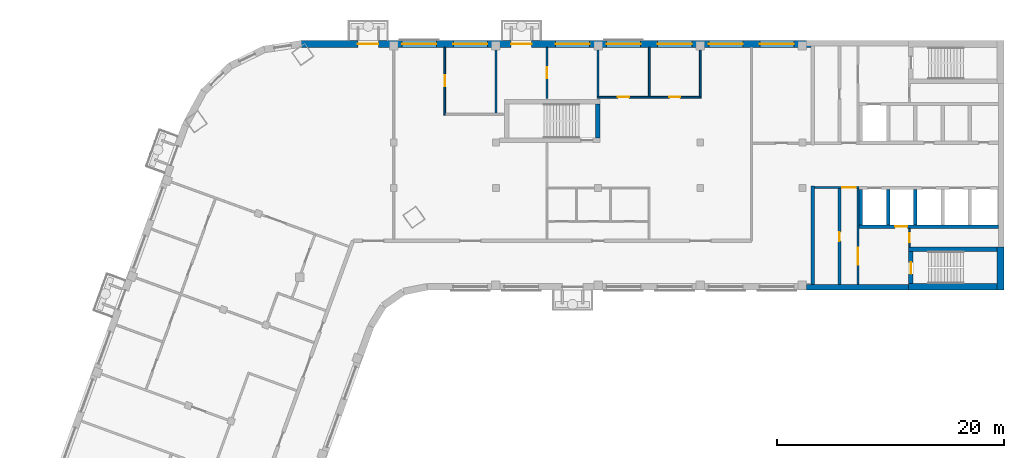
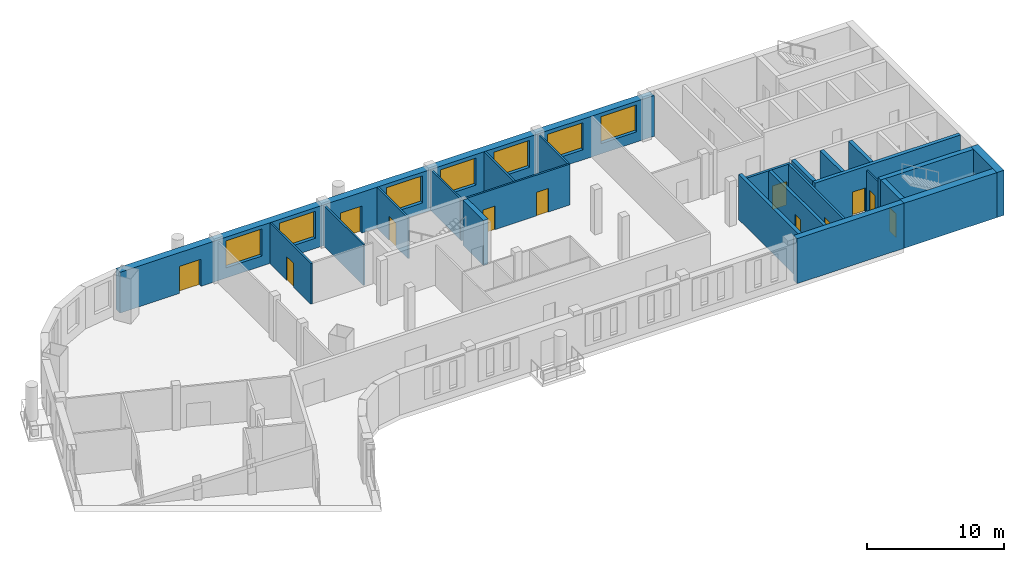
# One storey, part 5 of 10: 23 walls, 12 doors, 7 windows, 19 openings.
"""IFC4 building model written with IfcOpenShell, lengths in metres."""

import ifcopenshell
import ifcopenshell.guid

model = None  # the IFC model being written
_history = None  # IfcOwnerHistory: only IFC2X3 demands one
_inside = {}  # id of a spatial element -> (the spatial element, [elements in it])
_under = {}  # id of a project, library or spatial element -> (it, [spatial elements below it])
_declared = {}  # id of a project -> (the project, [libraries it declares])
_typed = {}  # id of a type object -> (the type object, [elements of that type])
_made_of = {}  # id of a material, layer set ... -> (it, [elements and type objects made of it])


def new_model(schema):
    """Start an empty IFC model of exactly this schema.

    Asked for "IFC4X3", IfcOpenShell would pick the latest addendum, in which some entities
    have other attributes; the version numbers below select the first issue.
    IFC2X3 requires an IfcOwnerHistory on every rooted entity: one is made here for all.
    """
    global model, _history
    if schema == "IFC4X3":
        model = ifcopenshell.file(schema_version=(4, 3, 0, 0))
    else:
        model = ifcopenshell.file(schema=schema)
    _inside.clear()
    _under.clear()
    _declared.clear()
    _typed.clear()
    _made_of.clear()
    _history = None
    if model.schema == "IFC2X3":
        org = make("IfcOrganization", Name="unknown")
        user = make(
            "IfcPersonAndOrganization",
            ThePerson=make("IfcPerson", FamilyName="unknown"),
            TheOrganization=org,
        )
        app = make(
            "IfcApplication",
            ApplicationDeveloper=org,
            Version="unknown",
            ApplicationFullName="unknown",
            ApplicationIdentifier="unknown",
        )
        _history = make(
            "IfcOwnerHistory",
            OwningUser=user,
            OwningApplication=app,
            ChangeAction="ADDED",
            CreationDate=0,
        )
    return model


def make(cls, **values):
    """One entity of the class cls with the attributes given. An attribute that is None is left unset."""
    return model.create_entity(
        cls, **{name: value for name, value in values.items() if value is not None}
    )


def rooted(cls, **values):
    """An entity with a GlobalId (a new one), such as an element, a storey or a relation."""
    return make(cls, GlobalId=ifcopenshell.guid.new(), OwnerHistory=_history, **values)


def si_unit(unit_type, name, prefix=None):
    """IfcSIUnit, for example si_unit("LENGTHUNIT", "METRE", prefix="MILLI")."""
    return make("IfcSIUnit", UnitType=unit_type, Prefix=prefix, Name=name)


def assignment(units):
    """IfcUnitAssignment: the units of a project."""
    return None if units is None else make("IfcUnitAssignment", Units=units)


def point(xyz):
    """IfcCartesianPoint."""
    return None if xyz is None else make("IfcCartesianPoint", Coordinates=xyz)


def direction(xyz):
    """IfcDirection."""
    return None if xyz is None else make("IfcDirection", DirectionRatios=xyz)


def frame(location, z_axis=None, x_axis=None):
    """IfcAxis2Placement3D, a coordinate frame: its origin and axes. An axis left out is left unset."""
    return make(
        "IfcAxis2Placement3D",
        Location=point(location),
        Axis=direction(z_axis),
        RefDirection=direction(x_axis),
    )


def frame_2d(location, x_axis=None):
    """IfcAxis2Placement2D, a coordinate frame in the plane: its origin and x axis."""
    return make(
        "IfcAxis2Placement2D", Location=point(location), RefDirection=direction(x_axis)
    )


def origin():
    """The frame at (0, 0, 0) with its axes left unset."""
    return frame((0.0, 0.0, 0.0))


def place(relative_to, where):
    """IfcLocalPlacement: puts the frame where relative to a parent placement (None: the world)."""
    return make(
        "IfcLocalPlacement", PlacementRelTo=relative_to, RelativePlacement=where
    )


def context(
    kind, dimensions, precision=None, world=None, true_north=None, identifier=None
):
    """IfcGeometricRepresentationContext, for example the 3D "Model" context."""
    return make(
        "IfcGeometricRepresentationContext",
        ContextIdentifier=identifier,
        ContextType=kind,
        CoordinateSpaceDimension=dimensions,
        Precision=precision,
        WorldCoordinateSystem=world,
        TrueNorth=true_north,
    )


def subcontext(parent, identifier, kind, view, scale=None):
    """IfcGeometricRepresentationSubContext, for example "Body" below "Model"."""
    return make(
        "IfcGeometricRepresentationSubContext",
        ContextIdentifier=identifier,
        ContextType=kind,
        ParentContext=parent,
        TargetScale=scale,
        TargetView=view,
    )


def project(units=None, contexts=None):
    """IfcProject with its units and contexts."""
    return rooted(
        "IfcProject",
        Name="project",
        RepresentationContexts=contexts,
        UnitsInContext=assignment(units),
    )


def spatial(cls, under=None, at=None, **own):
    """A site, building, storey or space (cls), placed at a placement, below another one or the project."""
    s = rooted(cls, ObjectPlacement=at, **own)
    if under is not None:
        _under.setdefault(under.id(), (under, []))[1].append(s)
    return s


def profile(cls, at=None, kind="AREA", **sizes):
    """A parametric profile (cls). Its sizes go by their IFC names, for example OverallWidth=200.0."""
    return make(cls, ProfileType=kind, Position=at, **sizes)


def rectangle(**sizes):
    """IfcRectangleProfileDef."""
    return profile("IfcRectangleProfileDef", **sizes)


def extrude(swept, where, along, depth):
    """IfcExtrudedAreaSolid: the profile swept, set in the frame where, extruded along a direction by depth."""
    return make(
        "IfcExtrudedAreaSolid",
        SweptArea=swept,
        Position=where,
        ExtrudedDirection=direction(along),
        Depth=depth,
    )


def shape(context_of_items, identifier, shape_type, items):
    """IfcShapeRepresentation: the items that make up one representation, for example the "Body"."""
    return make(
        "IfcShapeRepresentation",
        ContextOfItems=context_of_items,
        RepresentationIdentifier=identifier,
        RepresentationType=shape_type,
        Items=items,
    )


def material(Name=None, Category=None):
    """IfcMaterial."""
    return make("IfcMaterial", Name=Name, Category=Category)


def layer(
    of_material, thickness, ventilated=None, Name=None, Category=None, Priority=None
):
    """IfcMaterialLayer: one layer of a wall or slab, of a material (None: an air gap)."""
    return make(
        "IfcMaterialLayer",
        Material=of_material,
        LayerThickness=thickness,
        IsVentilated=ventilated,
        Name=Name,
        Category=Category,
        Priority=Priority,
    )


def layer_set(layers, Name=None):
    """IfcMaterialLayerSet."""
    return make("IfcMaterialLayerSet", MaterialLayers=layers, LayerSetName=Name)


def made_of(thing, what):
    """Note that an element or type object is made of a material, layer set ...; save() writes the relation."""
    if what is not None:
        _made_of.setdefault(what.id(), (what, []))[1].append(thing)
    return thing


def type_object(cls, material=None, **own):
    """A type object (cls), such as IfcWallType, which elements share."""
    return made_of(rooted(cls, **own), material)


def element(
    cls,
    number,
    at=None,
    inside=None,
    cuts=None,
    type_object=None,
    material=None,
    context=None,
    identifier="Body",
    shape_type=None,
    held_by="IfcProductDefinitionShape",
    body=None,
    shapes=None,
    **own,
):
    """One element of the class cls, such as IfcWall. Its Tag is "e" and its number.

    at: its placement. inside: the storey or other place that contains it. cuts: it is an
    opening in that element (IfcRelVoidsElement). A single representation is given by context,
    identifier, shape_type and body (its items); several are given by shapes. held_by: the class
    of the entity that holds the representations. save() writes the other relations.
    """
    e = rooted(cls, Tag="e%d" % number, ObjectPlacement=at, **own)
    if body is not None:
        shapes = [shape(context, identifier, shape_type, body)]
    if shapes is not None:
        e.Representation = make(held_by, Representations=shapes)
    if inside is not None:
        _inside.setdefault(inside.id(), (inside, []))[1].append(e)
    if cuts is not None:
        rooted(
            "IfcRelVoidsElement", RelatingBuildingElement=cuts, RelatedOpeningElement=e
        )
    if type_object is not None:
        _typed.setdefault(type_object.id(), (type_object, []))[1].append(e)
    return made_of(e, material)


def fill(opening, filler):
    """IfcRelFillsElement: the door or window that sits in an opening."""
    return rooted(
        "IfcRelFillsElement",
        RelatingOpeningElement=opening,
        RelatedBuildingElement=filler,
    )


def aggregate(whole, parts):
    """IfcRelAggregates: a whole, such as a stair, and the parts it consists of."""
    return rooted("IfcRelAggregates", RelatingObject=whole, RelatedObjects=parts)


def save(model, path):
    """Write the relations noted so far, then the file.

    IfcRelAggregates (storeys below a building ...), IfcRelContainedInSpatialStructure (elements
    in a storey), IfcRelDefinesByType, IfcRelAssociatesMaterial and IfcRelDeclares: one each for
    every whole, place, type object, material and project.
    """
    for whole, parts in _under.values():
        aggregate(whole, parts)
    for where, things in _inside.values():
        rooted(
            "IfcRelContainedInSpatialStructure",
            RelatedElements=things,
            RelatingStructure=where,
        )
    for kind, things in _typed.values():
        rooted("IfcRelDefinesByType", RelatedObjects=things, RelatingType=kind)
    for what, things in _made_of.values():
        rooted("IfcRelAssociatesMaterial", RelatedObjects=things, RelatingMaterial=what)
    for by, libraries in _declared.values():
        rooted("IfcRelDeclares", RelatingContext=by, RelatedDefinitions=libraries)
    model.write(path)


model = new_model("IFC4")

# Units and contexts
model_context = context("Model", 3, precision=1e-05, world=origin(), true_north=direction((0.0, 1.0)))
body_context = subcontext(model_context, "Body", "Model", "MODEL_VIEW")
ifc_project = project(units=[si_unit("LENGTHUNIT", "METRE"), si_unit("AREAUNIT", "SQUARE_METRE"), si_unit("VOLUMEUNIT", "CUBIC_METRE"), si_unit("PLANEANGLEUNIT", "RADIAN"), si_unit("MASSUNIT", "GRAM", prefix="KILO")], contexts=[model_context])

# Site, building, storey
site_placement = place(None, origin())
site = spatial("IfcSite", under=ifc_project, at=site_placement, CompositionType="ELEMENT")
building_placement = place(site_placement, origin())
building = spatial("IfcBuilding", under=site, at=building_placement, Name="Skarvind Civic Tower", CompositionType="ELEMENT")
storey_placement = place(building_placement, frame((0.0, 0.0, 204.0)))
storey = spatial("IfcBuildingStorey", under=building, at=storey_placement, Name="L48", CompositionType="ELEMENT", Elevation=204.0)

# Wall, opening, door
ifc_material_1 = material(Name="Fire-rated masonry partition", Category="masonry")
ifc_layer_1 = layer(ifc_material_1, 0.199951171875)
ifc_layer_set_1 = layer_set([ifc_layer_1], Name="Core enclosure wall 200")
wall_type_1 = type_object("IfcWallType", Name="Core enclosure wall 200", PredefinedType="PARTITIONING", material=ifc_layer_set_1)
wall_1_placement = place(storey_placement, frame((95.25, 126.050048828125, 0.0), z_axis=(0.0, 0.0, 1.0), x_axis=(-1.0, 0.0, 0.0)))
wall_1 = element("IfcWall", 1, at=wall_1_placement, inside=storey, type_object=wall_type_1, Name="Core wall C1", PredefinedType="PARTITIONING", context=body_context, shape_type="SweptSolid", body=[
    extrude(rectangle(XDim=3.949951171875, YDim=0.199951171875, at=frame_2d((1.97509765625, 0.0))), origin(), (0.0, 0.0, 1.0), 3.625),
])
opening_1_placement = place(wall_1_placement, frame((0.300048828125, 0.0, 0.0)))
opening_1 = element("IfcOpeningElement", 2, at=opening_1_placement, cuts=wall_1, Name="Opening D-L48-C1-07", PredefinedType="OPENING", context=body_context, shape_type="SweptSolid", body=[
    extrude(rectangle(XDim=1.199951171875, YDim=2.10009765625, at=frame_2d((0.60009765625, 1.050048828125))), frame((0.0, 0.10986328125, 0.0), z_axis=(0.0, -1.0, 0.0), x_axis=(1.0, 0.0, 0.0)), (0.0, 0.0, 1.0), 0.219970703125),
])
ifc_material_2 = material(Name="Fire-rated steel door", Category="steel")
door_type_1 = type_object("IfcDoorType", Name="Core lobby door 1200", OperationType="NOTDEFINED", PredefinedType="DOOR", material=ifc_material_2)
door_1_placement = place(opening_1_placement, origin())
door_1 = element("IfcDoor", 3, at=door_1_placement, inside=storey, type_object=door_type_1, Name="Fire door", OperationType="DOUBLE_DOOR_SINGLE_SWING", OverallHeight=2.10009765625, OverallWidth=1.199951171875, PredefinedType="DOOR", context=body_context, shape_type="SweptSolid", body=[
    extrude(rectangle(XDim=1.199951171875, YDim=2.10009765625, at=frame_2d((0.60009765625, 1.050048828125))), frame((0.0, 0.02490234375, 0.0), z_axis=(0.0, -1.0, 0.0), x_axis=(1.0, 0.0, 0.0)), (0.0, 0.0, 1.0), 0.050048828125),
])
fill(opening_1, door_1)

wall_2_placement = place(storey_placement, frame((95.14990234375, 117.5, 0.0), z_axis=(0.0, 0.0, 1.0), x_axis=(0.0, 1.0, 0.0)))
wall_2 = element("IfcWall", 4, at=wall_2_placement, inside=storey, type_object=wall_type_1, Name="Core wall C1", PredefinedType="PARTITIONING", context=body_context, shape_type="SweptSolid", body=[
    extrude(rectangle(XDim=8.449951171875, YDim=0.199951171875, at=frame_2d((4.22509765625, 0.0))), origin(), (0.0, 0.0, 1.0), 3.625),
])
opening_2_placement = place(wall_2_placement, frame((1.72509765625, 0.0, 0.0)))
opening_2 = element("IfcOpeningElement", 5, at=opening_2_placement, cuts=wall_2, Name="Opening D-L48-C1-08", PredefinedType="OPENING", context=body_context, shape_type="SweptSolid", body=[
    extrude(rectangle(XDim=1.5, YDim=2.10009765625, at=frame_2d((0.75, 1.050048828125))), frame((0.0, 0.10986328125, 0.0), z_axis=(0.0, -1.0, 0.0), x_axis=(1.0, 0.0, 0.0)), (0.0, 0.0, 1.0), 0.219970703125),
])
door_type_2 = type_object("IfcDoorType", Name="Fire door 1500", OperationType="NOTDEFINED", PredefinedType="DOOR", material=ifc_material_2)
door_2_placement = place(opening_2_placement, origin())
door_2 = element("IfcDoor", 6, at=door_2_placement, inside=storey, type_object=door_type_2, Name="Fire door", OperationType="DOUBLE_DOOR_SINGLE_SWING", OverallHeight=2.10009765625, OverallWidth=1.5, PredefinedType="DOOR", context=body_context, shape_type="SweptSolid", body=[
    extrude(rectangle(XDim=1.5, YDim=2.10009765625, at=frame_2d((0.75, 1.050048828125))), frame((0.0, 0.02490234375, 0.0), z_axis=(0.0, -1.0, 0.0), x_axis=(1.0, 0.0, 0.0)), (0.0, 0.0, 1.0), 0.050048828125),
])
fill(opening_2, door_2)

ifc_material_3 = material(Name="Concrete C60", Category="concrete")
ifc_layer_2 = layer(ifc_material_3, 0.300048828125)
ifc_layer_set_2 = layer_set([ifc_layer_2], Name="Core wall 300 C60")
wall_type_2 = type_object("IfcWallType", Name="Core wall 300 C60", PredefinedType="SHEAR", material=ifc_layer_set_2)
wall_3_placement = place(storey_placement, frame((107.5, 122.60009765625, 0.0), z_axis=(0.0, 0.0, 1.0), x_axis=(-1.0, 0.0, 0.0)))
wall_3 = element("IfcWall", 7, at=wall_3_placement, inside=storey, type_object=wall_type_2, Name="Core wall C1 north lift row back L48", PredefinedType="SHEAR", context=body_context, shape_type="SweptSolid", body=[
    extrude(rectangle(XDim=12.25, YDim=0.300048828125, at=frame_2d((6.125, 0.0))), origin(), (0.0, 0.0, 1.0), 4.0),
])
opening_3_placement = place(wall_3_placement, frame((8.0, 0.0, 0.0)))
opening_3 = element("IfcOpeningElement", 8, at=opening_3_placement, cuts=wall_3, Name="Opening LD50104", PredefinedType="OPENING", context=body_context, shape_type="SweptSolid", body=[
    extrude(rectangle(XDim=1.10009765625, YDim=2.10009765625, at=frame_2d((0.550048828125, 1.050048828125))), frame((0.0, 0.159912109375, 0.0), z_axis=(0.0, -1.0, 0.0), x_axis=(1.0, 0.0, 0.0)), (0.0, 0.0, 1.0), 0.320068359375),
])
ifc_material_4 = material(Name="Stainless steel landing door", Category="steel")
door_type_3 = type_object("IfcDoorType", Name="Lift landing door 1100", OperationType="DOUBLE_DOOR_SLIDING", PredefinedType="DOOR", material=ifc_material_4)
door_3_placement = place(opening_3_placement, origin())
door_3 = element("IfcDoor", 9, at=door_3_placement, inside=storey, type_object=door_type_3, Name="Lift landing door", OperationType="DOUBLE_DOOR_SLIDING", OverallHeight=2.10009765625, OverallWidth=1.10009765625, PredefinedType="DOOR", context=body_context, shape_type="SweptSolid", body=[
    extrude(rectangle(XDim=1.10009765625, YDim=2.10009765625, at=frame_2d((0.550048828125, 1.050048828125))), frame((0.0, 0.02490234375, 0.0), z_axis=(0.0, -1.0, 0.0), x_axis=(1.0, 0.0, 0.0)), (0.0, 0.0, 1.0), 0.050048828125),
])
fill(opening_3, door_3)

# Walls
for number, where, z_axis, x_axis, name in (
    (10, (100.199951171875, 125.85009765625, 0.0), (0.0, 0.0, 1.0), (0.0, -1.0, 0.0), "Core wall C1 north lift row division 3 L48"),
    (11, (97.800048828125, 125.85009765625, 0.0), (0.0, 0.0, 1.0), (0.0, -1.0, 0.0), "Core wall C1 north lift row division 4 L48"),
    (12, (95.39990234375, 125.85009765625, 0.0), (0.0, 0.0, 1.0), (0.0, -1.0, 0.0), "Core wall C1 north lift row division 5 L48"),
):
    element("IfcWall", number, at=place(storey_placement, frame(where, z_axis=z_axis, x_axis=x_axis)), inside=storey, type_object=wall_type_2, Name=name, PredefinedType="SHEAR", context=body_context, shape_type="SweptSolid", body=[
        extrude(rectangle(XDim=3.10009765625, YDim=0.300048828125, at=frame_2d((1.550048828125, 0.0))), origin(), (0.0, 0.0, 1.0), 4.0),
    ])
wall_4_placement = place(storey_placement, frame((91.14990234375, 126.199951171875, 0.0), z_axis=(0.0, 0.0, 1.0), x_axis=(0.0, -1.0, 0.0)))
element("IfcWall", 13, at=wall_4_placement, inside=storey, type_object=wall_type_2, Name="Core wall C1 north inner face L48", PredefinedType="SHEAR", context=body_context, shape_type="SweptSolid", body=[
    extrude(rectangle(XDim=8.699951171875, YDim=0.300048828125, at=frame_2d((4.35009765625, 0.0))), origin(), (0.0, 0.0, 1.0), 4.0),
])
ifc_layer_3 = layer(ifc_material_3, 0.39990234375)
ifc_layer_set_3 = layer_set([ifc_layer_3], Name="Core wall 400 C60")
wall_type_3 = type_object("IfcWallType", Name="Core wall 400 C60", PredefinedType="SHEAR", material=ifc_layer_set_3)
wall_5_placement = place(storey_placement, frame((107.39990234375, 120.60009765625, 0.0), z_axis=(0.0, 0.0, 1.0), x_axis=(-1.0, 0.0, 0.0)))
element("IfcWall", 14, at=wall_5_placement, inside=storey, type_object=wall_type_3, Name="Core wall C1 north stair inner L48", PredefinedType="SHEAR", context=body_context, shape_type="SweptSolid", body=[
    extrude(rectangle(XDim=7.7998046875, YDim=0.39990234375, at=frame_2d((3.89990234375, 0.0))), origin(), (0.0, 0.0, 1.0), 4.0),
])

# Wall, opening, door
wall_6_placement = place(storey_placement, frame((99.800048828125, 120.39990234375, 0.0), z_axis=(0.0, 0.0, 1.0), x_axis=(0.0, -1.0, 0.0)))
wall_6 = element("IfcWall", 15, at=wall_6_placement, inside=storey, type_object=wall_type_3, Name="Core wall C1 north stair end L48", PredefinedType="SHEAR", context=body_context, shape_type="SweptSolid", body=[
    extrude(rectangle(XDim=2.7998046875, YDim=0.39990234375, at=frame_2d((1.39990234375, 0.0))), origin(), (0.0, 0.0, 1.0), 4.0),
])
opening_4_placement = place(wall_6_placement, frame((0.949951171875, 0.0, 0.0)))
opening_4 = element("IfcOpeningElement", 16, at=opening_4_placement, cuts=wall_6, Name="Opening D-L48-C1-09", PredefinedType="OPENING", context=body_context, shape_type="SweptSolid", body=[
    extrude(rectangle(XDim=1.0, YDim=2.10009765625, at=frame_2d((0.5, 1.050048828125))), frame((0.0, 0.2099609375, 0.0), z_axis=(0.0, -1.0, 0.0), x_axis=(1.0, 0.0, 0.0)), (0.0, 0.0, 1.0), 0.419921875),
])
door_type_4 = type_object("IfcDoorType", Name="Fire door 1000", OperationType="NOTDEFINED", PredefinedType="DOOR", material=ifc_material_2)
door_4_placement = place(opening_4_placement, origin())
door_4 = element("IfcDoor", 17, at=door_4_placement, inside=storey, type_object=door_type_4, Name="Fire door", OperationType="SINGLE_SWING_LEFT", OverallHeight=2.10009765625, OverallWidth=1.0, PredefinedType="DOOR", context=body_context, shape_type="SweptSolid", body=[
    extrude(rectangle(XDim=1.0, YDim=2.10009765625, at=frame_2d((0.5, 1.050048828125))), frame((0.0, 0.02490234375, 0.0), z_axis=(0.0, -1.0, 0.0), x_axis=(1.0, 0.0, 0.0)), (0.0, 0.0, 1.0), 0.050048828125),
])
fill(opening_4, door_4)

# Walls
wall_7_placement = place(storey_placement, frame((72.199951171875, 130.39990234375, 0.0), z_axis=(0.0, 0.0, 1.0), x_axis=(0.0, 1.0, 0.0)))
element("IfcWall", 18, at=wall_7_placement, inside=storey, type_object=wall_type_3, Name="Core wall CM end L48", PredefinedType="SHEAR", context=body_context, shape_type="SweptSolid", body=[
    extrude(rectangle(XDim=3.0, YDim=0.39990234375, at=frame_2d((1.5, 0.0))), origin(), (0.0, 0.0, 1.0), 4.0),
])
ifc_layer_4 = layer(ifc_material_3, 0.5)
ifc_layer_set_4 = layer_set([ifc_layer_4], Name="Core wall 500 C60")
wall_type_4 = type_object("IfcWallType", Name="Core wall 500 C60", PredefinedType="SHEAR", material=ifc_layer_set_4)
wall_8_placement = place(storey_placement, frame((99.60009765625, 117.25, 0.0), z_axis=(0.0, 0.0, 1.0), x_axis=(-1.0, 0.0, 0.0)))
element("IfcWall", 19, at=wall_8_placement, inside=storey, type_object=wall_type_4, Name="Core wall C1 north side L48", PredefinedType="SHEAR", context=body_context, shape_type="SweptSolid", body=[
    extrude(rectangle(XDim=8.97509765625, YDim=0.5, at=frame_2d((4.487548828125, 0.0))), origin(), (0.0, 0.0, 1.0), 4.0),
])
ifc_layer_5 = layer(ifc_material_3, 0.60009765625)
ifc_layer_set_5 = layer_set([ifc_layer_5], Name="Core wall 600 C60")
wall_type_5 = type_object("IfcWallType", Name="Core wall 600 C60", PredefinedType="SHEAR", material=ifc_layer_set_5)
wall_9_placement = place(storey_placement, frame((107.699951171875, 120.800048828125, 0.0), z_axis=(0.0, 0.0, 1.0), x_axis=(0.0, -1.0, 0.0)))
element("IfcWall", 20, at=wall_9_placement, inside=storey, type_object=wall_type_5, Name="Core wall C1 tip at the north stair L48", PredefinedType="SHEAR", context=body_context, shape_type="SweptSolid", body=[
    extrude(rectangle(XDim=3.800048828125, YDim=0.60009765625, at=frame_2d((1.89990234375, 0.0))), origin(), (0.0, 0.0, 1.0), 4.0),
])
wall_10_placement = place(storey_placement, frame((107.39990234375, 117.300048828125, 0.0), z_axis=(0.0, 0.0, 1.0), x_axis=(-1.0, 0.0, 0.0)))
element("IfcWall", 21, at=wall_10_placement, inside=storey, type_object=wall_type_5, Name="Core wall C1 north side at the stair L48", PredefinedType="SHEAR", context=body_context, shape_type="SweptSolid", body=[
    extrude(rectangle(XDim=7.7998046875, YDim=0.60009765625, at=frame_2d((3.89990234375, 0.0))), origin(), (0.0, 0.0, 1.0), 4.0),
])

# Wall, opening, door
ifc_material_5 = material(Name="Plasterboard partition on steel studs", Category="steel")
ifc_layer_6 = layer(ifc_material_5, 0.14990234375)
ifc_layer_set_6 = layer_set([ifc_layer_6], Name="PARTITION 150")
wall_type_6 = type_object("IfcWallType", Name="PARTITION 150", PredefinedType="PARTITIONING", material=ifc_layer_set_6)
wall_11_placement = place(storey_placement, frame((58.75, 132.425048828125, 0.0), z_axis=(0.0, 0.0, 1.0), x_axis=(0.0, 1.0, 0.0)))
wall_11 = element("IfcWall", 22, at=wall_11_placement, inside=storey, type_object=wall_type_6, Name="Partition 48.022", PredefinedType="PARTITIONING", context=body_context, shape_type="SweptSolid", body=[
    extrude(rectangle(XDim=5.974853515625, YDim=0.14990234375, at=frame_2d((2.9873046875, 0.0))), origin(), (0.0, 0.0, 1.0), 3.625),
])
opening_5_placement = place(wall_11_placement, frame((2.52490234375, 0.0, 0.0)))
opening_5 = element("IfcOpeningElement", 23, at=opening_5_placement, cuts=wall_11, Name="Opening L48-D010", PredefinedType="OPENING", context=body_context, shape_type="SweptSolid", body=[
    extrude(rectangle(XDim=1.0, YDim=2.10009765625, at=frame_2d((0.5, 1.050048828125))), frame((0.0, 0.0849609375, 0.0), z_axis=(0.0, -1.0, 0.0), x_axis=(1.0, 0.0, 0.0)), (0.0, 0.0, 1.0), 0.169921875),
])
ifc_material_6 = material(Name="Timber door leaf", Category="wood")
door_type_5 = type_object("IfcDoorType", Name="D1 1000x2100", OperationType="NOTDEFINED", PredefinedType="DOOR", material=ifc_material_6)
door_5_placement = place(opening_5_placement, origin())
door_5 = element("IfcDoor", 24, at=door_5_placement, inside=storey, type_object=door_type_5, Name="Door L48-D010", OperationType="SINGLE_SWING_LEFT", OverallHeight=2.10009765625, OverallWidth=1.0, PredefinedType="DOOR", context=body_context, shape_type="SweptSolid", body=[
    extrude(rectangle(XDim=1.0, YDim=2.10009765625, at=frame_2d((0.5, 1.050048828125))), frame((0.0, 0.02490234375, 0.0), z_axis=(0.0, -1.0, 0.0), x_axis=(1.0, 0.0, 0.0)), (0.0, 0.0, 1.0), 0.050048828125),
])
fill(opening_5, door_5)

# Wall
wall_12_placement = place(storey_placement, frame((63.25, 132.574951171875, 0.0), z_axis=(0.0, 0.0, 1.0), x_axis=(0.0, 1.0, 0.0)))
element("IfcWall", 25, at=wall_12_placement, inside=storey, type_object=wall_type_6, Name="Partition 48.024", PredefinedType="PARTITIONING", context=body_context, shape_type="SweptSolid", body=[
    extrude(rectangle(XDim=5.824951171875, YDim=0.14990234375, at=frame_2d((2.91259765625, 0.0))), origin(), (0.0, 0.0, 1.0), 3.625),
])

# Wall, opening, door
wall_13_placement = place(storey_placement, frame((67.75, 133.89990234375, 0.0), z_axis=(0.0, 0.0, 1.0), x_axis=(0.0, 1.0, 0.0)))
wall_13 = element("IfcWall", 26, at=wall_13_placement, inside=storey, type_object=wall_type_6, Name="Partition 48.029", PredefinedType="PARTITIONING", context=body_context, shape_type="SweptSolid", body=[
    extrude(rectangle(XDim=4.5, YDim=0.14990234375, at=frame_2d((2.25, 0.0))), origin(), (0.0, 0.0, 1.0), 3.625),
])
opening_6_placement = place(wall_13_placement, frame((1.75, 0.0, 0.0)))
opening_6 = element("IfcOpeningElement", 27, at=opening_6_placement, cuts=wall_13, Name="Opening L48-D009", PredefinedType="OPENING", context=body_context, shape_type="SweptSolid", body=[
    extrude(rectangle(XDim=1.0, YDim=2.10009765625, at=frame_2d((0.5, 1.050048828125))), frame((0.0, 0.0849609375, 0.0), z_axis=(0.0, -1.0, 0.0), x_axis=(1.0, 0.0, 0.0)), (0.0, 0.0, 1.0), 0.169921875),
])
door_6_placement = place(opening_6_placement, origin())
door_6 = element("IfcDoor", 28, at=door_6_placement, inside=storey, type_object=door_type_5, Name="Door L48-D009", OperationType="SINGLE_SWING_LEFT", OverallHeight=2.10009765625, OverallWidth=1.0, PredefinedType="DOOR", context=body_context, shape_type="SweptSolid", body=[
    extrude(rectangle(XDim=1.0, YDim=2.10009765625, at=frame_2d((0.5, 1.050048828125))), frame((0.0, 0.02490234375, 0.0), z_axis=(0.0, -1.0, 0.0), x_axis=(1.0, 0.0, 0.0)), (0.0, 0.0, 1.0), 0.050048828125),
])
fill(opening_6, door_6)

# Wall
wall_14_placement = place(storey_placement, frame((72.25, 134.074951171875, 0.0), z_axis=(0.0, 0.0, 1.0), x_axis=(0.0, 1.0, 0.0)))
element("IfcWall", 29, at=wall_14_placement, inside=storey, type_object=wall_type_6, Name="Partition 48.031", PredefinedType="PARTITIONING", context=body_context, shape_type="SweptSolid", body=[
    extrude(rectangle(XDim=4.324951171875, YDim=0.14990234375, at=frame_2d((2.16259765625, 0.0))), origin(), (0.0, 0.0, 1.0), 3.625),
])

# Wall, openings, doors
wall_15_placement = place(storey_placement, frame((81.324951171875, 134.0, 0.0), z_axis=(0.0, 0.0, 1.0), x_axis=(-1.0, 0.0, 0.0)))
wall_15 = element("IfcWall", 30, at=wall_15_placement, inside=storey, type_object=wall_type_6, Name="Partition 48.032", PredefinedType="PARTITIONING", context=body_context, shape_type="SweptSolid", body=[
    extrude(rectangle(XDim=9.14990234375, YDim=0.14990234375, at=frame_2d((4.574951171875, 0.0))), origin(), (0.0, 0.0, 1.0), 3.625),
])
opening_7_placement = place(wall_15_placement, frame((1.824951171875, 0.0, 0.0)))
opening_7 = element("IfcOpeningElement", 31, at=opening_7_placement, cuts=wall_15, Name="Opening L48-D006", PredefinedType="OPENING", context=body_context, shape_type="SweptSolid", body=[
    extrude(rectangle(XDim=1.0, YDim=2.10009765625, at=frame_2d((0.5, 1.050048828125))), frame((0.0, 0.0849609375, 0.0), z_axis=(0.0, -1.0, 0.0), x_axis=(1.0, 0.0, 0.0)), (0.0, 0.0, 1.0), 0.169921875),
])
opening_8_placement = place(wall_15_placement, frame((6.324951171875, 0.0, 0.0)))
opening_8 = element("IfcOpeningElement", 32, at=opening_8_placement, cuts=wall_15, Name="Opening L48-D007", PredefinedType="OPENING", context=body_context, shape_type="SweptSolid", body=[
    extrude(rectangle(XDim=1.0, YDim=2.10009765625, at=frame_2d((0.5, 1.050048828125))), frame((0.0, 0.0849609375, 0.0), z_axis=(0.0, -1.0, 0.0), x_axis=(1.0, 0.0, 0.0)), (0.0, 0.0, 1.0), 0.169921875),
])
door_7_placement = place(opening_7_placement, origin())
door_7 = element("IfcDoor", 33, at=door_7_placement, inside=storey, type_object=door_type_5, Name="Door L48-D006", OperationType="SINGLE_SWING_LEFT", OverallHeight=2.10009765625, OverallWidth=1.0, PredefinedType="DOOR", context=body_context, shape_type="SweptSolid", body=[
    extrude(rectangle(XDim=1.0, YDim=2.10009765625, at=frame_2d((0.5, 1.050048828125))), frame((0.0, 0.02490234375, 0.0), z_axis=(0.0, -1.0, 0.0), x_axis=(1.0, 0.0, 0.0)), (0.0, 0.0, 1.0), 0.050048828125),
])
fill(opening_7, door_7)
door_8_placement = place(opening_8_placement, origin())
door_8 = element("IfcDoor", 34, at=door_8_placement, inside=storey, type_object=door_type_5, Name="Door L48-D007", OperationType="SINGLE_SWING_RIGHT", OverallHeight=2.10009765625, OverallWidth=1.0, PredefinedType="DOOR", context=body_context, shape_type="SweptSolid", body=[
    extrude(rectangle(XDim=1.0, YDim=2.10009765625, at=frame_2d((0.5, 1.050048828125))), frame((0.0, 0.02490234375, 0.0), z_axis=(0.0, -1.0, 0.0), x_axis=(1.0, 0.0, 0.0)), (0.0, 0.0, 1.0), 0.050048828125),
])
fill(opening_8, door_8)

# Walls
for number, where, z_axis, x_axis, name in (
    (35, (76.75, 134.074951171875, 0.0), (0.0, 0.0, 1.0), (0.0, 1.0, 0.0), "Partition 48.035"),
    (36, (81.25, 138.39990234375, 0.0), (0.0, 0.0, 1.0), (0.0, -1.0, 0.0), "Partition 48.036"),
):
    element("IfcWall", number, at=place(storey_placement, frame(where, z_axis=z_axis, x_axis=x_axis)), inside=storey, type_object=wall_type_6, Name=name, PredefinedType="PARTITIONING", context=body_context, shape_type="SweptSolid", body=[
        extrude(rectangle(XDim=4.324951171875, YDim=0.14990234375, at=frame_2d((2.16259765625, 0.0))), origin(), (0.0, 0.0, 1.0), 3.625),
    ])

# Wall, opening, door
ifc_layer_7 = layer(ifc_material_1, 0.125)
ifc_layer_set_7 = layer_set([ifc_layer_7], Name="Riser wall 125")
wall_type_7 = type_object("IfcWallType", Name="Riser wall 125", PredefinedType="PARTITIONING", material=ifc_layer_set_7)
wall_16_placement = place(storey_placement, frame((99.66259765625, 120.800048828125, 0.0), z_axis=(0.0, 0.0, 1.0), x_axis=(0.0, 1.0, 0.0)))
wall_16 = element("IfcWall", 37, at=wall_16_placement, inside=storey, type_object=wall_type_7, Name="Core wall C1", PredefinedType="PARTITIONING", context=body_context, shape_type="SweptSolid", body=[
    extrude(rectangle(XDim=1.64990234375, YDim=0.125, at=frame_2d((0.824951171875, 0.0))), origin(), (0.0, 0.0, 1.0), 3.625),
])
opening_9_placement = place(wall_16_placement, frame((0.425048828125, 0.0, 0.0)))
opening_9 = element("IfcOpeningElement", 38, at=opening_9_placement, cuts=wall_16, Name="Opening D-L48-C1-10", PredefinedType="OPENING", context=body_context, shape_type="SweptSolid", body=[
    extrude(rectangle(XDim=0.800048828125, YDim=2.10009765625, at=frame_2d((0.39990234375, 1.050048828125))), frame((0.0, 0.072509765625, 0.0), z_axis=(0.0, -1.0, 0.0), x_axis=(1.0, 0.0, 0.0)), (0.0, 0.0, 1.0), 0.14501953125),
])
door_type_6 = type_object("IfcDoorType", Name="Core riser door 800", OperationType="NOTDEFINED", PredefinedType="DOOR", material=ifc_material_2)
door_9_placement = place(opening_9_placement, origin())
door_9 = element("IfcDoor", 39, at=door_9_placement, inside=storey, type_object=door_type_6, Name="Riser door", OperationType="SINGLE_SWING_RIGHT", OverallHeight=2.10009765625, OverallWidth=0.800048828125, PredefinedType="DOOR", context=body_context, shape_type="SweptSolid", body=[
    extrude(rectangle(XDim=0.800048828125, YDim=2.10009765625, at=frame_2d((0.39990234375, 1.050048828125))), frame((0.0, 0.02490234375, 0.0), z_axis=(0.0, -1.0, 0.0), x_axis=(1.0, 0.0, 0.0)), (0.0, 0.0, 1.0), 0.050048828125),
])
fill(opening_9, door_9)

ifc_layer_8 = layer(ifc_material_1, 0.25)
ifc_layer_set_8 = layer_set([ifc_layer_8], Name="Service block wall 250")
wall_type_8 = type_object("IfcWallType", Name="Service block wall 250", PredefinedType="PARTITIONING", material=ifc_layer_set_8)
wall_17_placement = place(storey_placement, frame((93.52490234375, 117.5, 0.0), z_axis=(0.0, 0.0, 1.0), x_axis=(0.0, 1.0, 0.0)))
wall_17 = element("IfcWall", 40, at=wall_17_placement, inside=storey, type_object=wall_type_8, Name="Core wall C1", PredefinedType="PARTITIONING", context=body_context, shape_type="SweptSolid", body=[
    extrude(rectangle(XDim=8.449951171875, YDim=0.25, at=frame_2d((4.22509765625, 0.0))), origin(), (0.0, 0.0, 1.0), 3.625),
])
opening_10_placement = place(wall_17_placement, frame((3.824951171875, 0.0, 0.0)))
opening_10 = element("IfcOpeningElement", 41, at=opening_10_placement, cuts=wall_17, Name="Opening D-L48-C1-11", PredefinedType="OPENING", context=body_context, shape_type="SweptSolid", body=[
    extrude(rectangle(XDim=0.800048828125, YDim=2.10009765625, at=frame_2d((0.39990234375, 1.050048828125))), frame((0.0, 0.135009765625, 0.0), z_axis=(0.0, -1.0, 0.0), x_axis=(1.0, 0.0, 0.0)), (0.0, 0.0, 1.0), 0.27001953125),
])
door_10_placement = place(opening_10_placement, origin())
door_10 = element("IfcDoor", 42, at=door_10_placement, inside=storey, type_object=door_type_6, Name="Riser door", OperationType="SINGLE_SWING_LEFT", OverallHeight=2.10009765625, OverallWidth=0.800048828125, PredefinedType="DOOR", context=body_context, shape_type="SweptSolid", body=[
    extrude(rectangle(XDim=0.800048828125, YDim=2.10009765625, at=frame_2d((0.39990234375, 1.050048828125))), frame((0.0, 0.02490234375, 0.0), z_axis=(0.0, -1.0, 0.0), x_axis=(1.0, 0.0, 0.0)), (0.0, 0.0, 1.0), 0.050048828125),
])
fill(opening_10, door_10)

# Wall, openings, doors, windows
ifc_material_7 = material(Name="Limestone masonry cladding on insulated backing", Category="masonry")
ifc_layer_9 = layer(ifc_material_7, 0.60009765625)
ifc_layer_set_9 = layer_set([ifc_layer_9], Name="WX1 STONE FACADE WALL 600")
wall_type_9 = type_object("IfcWallType", Name="WX1 STONE FACADE WALL 600", PredefinedType="SOLIDWALL", material=ifc_layer_set_9)
wall_18_placement = place(storey_placement, frame((46.095458984375, 138.699951171875, 0.0), z_axis=(0.0, 0.0, 1.0), x_axis=(1.0, 0.0, 0.0)))
wall_18 = element("IfcWall", 43, at=wall_18_placement, inside=storey, type_object=wall_type_9, Name="STONE FACADE WALL", PredefinedType="SOLIDWALL", context=body_context, shape_type="SweptSolid", body=[
    extrude(rectangle(XDim=44.884521484375, YDim=0.60009765625, at=frame_2d((22.4423828125, 0.0))), origin(), (0.0, 0.0, 1.0), 3.625),
])
opening_11_placement = place(wall_18_placement, frame((5.00439453125, 0.0, 0.0)))
opening_11 = element("IfcOpeningElement", 44, at=opening_11_placement, cuts=wall_18, Name="Opening DX3", PredefinedType="OPENING", context=body_context, shape_type="SweptSolid", body=[
    extrude(rectangle(XDim=1.800048828125, YDim=2.39990234375, at=frame_2d((0.89990234375, 1.199951171875))), frame((0.0, 0.31005859375, 0.0), z_axis=(0.0, -1.0, 0.0), x_axis=(1.0, 0.0, 0.0)), (0.0, 0.0, 1.0), 0.6201171875),
])
opening_12_placement = place(wall_18_placement, frame((8.904541015625, 0.0, 0.89990234375)))
opening_12 = element("IfcOpeningElement", 45, at=opening_12_placement, cuts=wall_18, Name="Opening WN1", PredefinedType="OPENING", context=body_context, shape_type="SweptSolid", body=[
    extrude(rectangle(XDim=3.0, YDim=2.39990234375, at=frame_2d((1.5, 1.199951171875))), frame((0.0, 0.31005859375, 0.0), z_axis=(0.0, -1.0, 0.0), x_axis=(1.0, 0.0, 0.0)), (0.0, 0.0, 1.0), 0.6201171875),
])
opening_13_placement = place(wall_18_placement, frame((13.404541015625, 0.0, 0.89990234375)))
opening_13 = element("IfcOpeningElement", 46, at=opening_13_placement, cuts=wall_18, Name="Opening WN1", PredefinedType="OPENING", context=body_context, shape_type="SweptSolid", body=[
    extrude(rectangle(XDim=3.0, YDim=2.39990234375, at=frame_2d((1.5, 1.199951171875))), frame((0.0, 0.31005859375, 0.0), z_axis=(0.0, -1.0, 0.0), x_axis=(1.0, 0.0, 0.0)), (0.0, 0.0, 1.0), 0.6201171875),
])
opening_14_placement = place(wall_18_placement, frame((18.50439453125, 0.0, 0.0)))
opening_14 = element("IfcOpeningElement", 47, at=opening_14_placement, cuts=wall_18, Name="Opening DX3", PredefinedType="OPENING", context=body_context, shape_type="SweptSolid", body=[
    extrude(rectangle(XDim=1.800048828125, YDim=2.39990234375, at=frame_2d((0.89990234375, 1.199951171875))), frame((0.0, 0.31005859375, 0.0), z_axis=(0.0, -1.0, 0.0), x_axis=(1.0, 0.0, 0.0)), (0.0, 0.0, 1.0), 0.6201171875),
])
opening_15_placement = place(wall_18_placement, frame((22.404541015625, 0.0, 0.89990234375)))
opening_15 = element("IfcOpeningElement", 48, at=opening_15_placement, cuts=wall_18, Name="Opening WN1", PredefinedType="OPENING", context=body_context, shape_type="SweptSolid", body=[
    extrude(rectangle(XDim=3.0, YDim=2.39990234375, at=frame_2d((1.5, 1.199951171875))), frame((0.0, 0.31005859375, 0.0), z_axis=(0.0, -1.0, 0.0), x_axis=(1.0, 0.0, 0.0)), (0.0, 0.0, 1.0), 0.6201171875),
])
opening_16_placement = place(wall_18_placement, frame((26.904541015625, 0.0, 0.89990234375)))
opening_16 = element("IfcOpeningElement", 49, at=opening_16_placement, cuts=wall_18, Name="Opening WN1", PredefinedType="OPENING", context=body_context, shape_type="SweptSolid", body=[
    extrude(rectangle(XDim=3.0, YDim=2.39990234375, at=frame_2d((1.5, 1.199951171875))), frame((0.0, 0.31005859375, 0.0), z_axis=(0.0, -1.0, 0.0), x_axis=(1.0, 0.0, 0.0)), (0.0, 0.0, 1.0), 0.6201171875),
])
opening_17_placement = place(wall_18_placement, frame((31.404541015625, 0.0, 0.89990234375)))
opening_17 = element("IfcOpeningElement", 50, at=opening_17_placement, cuts=wall_18, Name="Opening WN1", PredefinedType="OPENING", context=body_context, shape_type="SweptSolid", body=[
    extrude(rectangle(XDim=3.0, YDim=2.39990234375, at=frame_2d((1.5, 1.199951171875))), frame((0.0, 0.31005859375, 0.0), z_axis=(0.0, -1.0, 0.0), x_axis=(1.0, 0.0, 0.0)), (0.0, 0.0, 1.0), 0.6201171875),
])
opening_18_placement = place(wall_18_placement, frame((35.904541015625, 0.0, 0.89990234375)))
opening_18 = element("IfcOpeningElement", 51, at=opening_18_placement, cuts=wall_18, Name="Opening WN1", PredefinedType="OPENING", context=body_context, shape_type="SweptSolid", body=[
    extrude(rectangle(XDim=3.0, YDim=2.39990234375, at=frame_2d((1.5, 1.199951171875))), frame((0.0, 0.31005859375, 0.0), z_axis=(0.0, -1.0, 0.0), x_axis=(1.0, 0.0, 0.0)), (0.0, 0.0, 1.0), 0.6201171875),
])
opening_19_placement = place(wall_18_placement, frame((40.404541015625, 0.0, 0.89990234375)))
opening_19 = element("IfcOpeningElement", 52, at=opening_19_placement, cuts=wall_18, Name="Opening WN1", PredefinedType="OPENING", context=body_context, shape_type="SweptSolid", body=[
    extrude(rectangle(XDim=3.0, YDim=2.39990234375, at=frame_2d((1.5, 1.199951171875))), frame((0.0, 0.31005859375, 0.0), z_axis=(0.0, -1.0, 0.0), x_axis=(1.0, 0.0, 0.0)), (0.0, 0.0, 1.0), 0.6201171875),
])
ifc_material_8 = material(Name="Timber and glass doorset", Category="wood")
door_type_7 = type_object("IfcDoorType", Name="DX3 TERRACE DOORS 1800 x 2400", OperationType="NOTDEFINED", PredefinedType="DOOR", material=ifc_material_8)
door_11_placement = place(opening_11_placement, origin())
door_11 = element("IfcDoor", 53, at=door_11_placement, inside=storey, type_object=door_type_7, Name="TERRACE DOORS", OperationType="DOUBLE_DOOR_SINGLE_SWING", OverallHeight=2.39990234375, OverallWidth=1.800048828125, PredefinedType="DOOR", context=body_context, shape_type="SweptSolid", body=[
    extrude(rectangle(XDim=1.800048828125, YDim=2.39990234375, at=frame_2d((0.89990234375, 1.199951171875))), frame((0.0, 0.02490234375, 0.0), z_axis=(0.0, -1.0, 0.0), x_axis=(1.0, 0.0, 0.0)), (0.0, 0.0, 1.0), 0.050048828125),
])
fill(opening_11, door_11)
door_12_placement = place(opening_14_placement, origin())
door_12 = element("IfcDoor", 54, at=door_12_placement, inside=storey, type_object=door_type_7, Name="TERRACE DOORS", OperationType="DOUBLE_DOOR_SINGLE_SWING", OverallHeight=2.39990234375, OverallWidth=1.800048828125, PredefinedType="DOOR", context=body_context, shape_type="SweptSolid", body=[
    extrude(rectangle(XDim=1.800048828125, YDim=2.39990234375, at=frame_2d((0.89990234375, 1.199951171875))), frame((0.0, 0.02490234375, 0.0), z_axis=(0.0, -1.0, 0.0), x_axis=(1.0, 0.0, 0.0)), (0.0, 0.0, 1.0), 0.050048828125),
])
fill(opening_14, door_12)
ifc_material_9 = material(Name="Timber frame, double glazing, timber-lined reveal", Category="wood")
window_type = type_object("IfcWindowType", Name="WN1 PUNCHED STONE WINDOW 3000 x 2400", PartitioningType="SINGLE_PANEL", PredefinedType="WINDOW", material=ifc_material_9)
window_1_placement = place(opening_12_placement, origin())
window_1 = element("IfcWindow", 55, at=window_1_placement, inside=storey, type_object=window_type, Name="WN1 WINDOW", OverallHeight=2.39990234375, OverallWidth=3.0, PartitioningType="SINGLE_PANEL", PredefinedType="WINDOW", context=body_context, shape_type="SweptSolid", body=[
    extrude(rectangle(XDim=3.0, YDim=2.39990234375, at=frame_2d((1.5, 1.199951171875))), frame((0.0, 0.030029296875, 0.0), z_axis=(0.0, -1.0, 0.0), x_axis=(1.0, 0.0, 0.0)), (0.0, 0.0, 1.0), 0.06005859375),
])
fill(opening_12, window_1)
window_2_placement = place(opening_13_placement, origin())
window_2 = element("IfcWindow", 56, at=window_2_placement, inside=storey, type_object=window_type, Name="WN1 WINDOW", OverallHeight=2.39990234375, OverallWidth=3.0, PartitioningType="SINGLE_PANEL", PredefinedType="WINDOW", context=body_context, shape_type="SweptSolid", body=[
    extrude(rectangle(XDim=3.0, YDim=2.39990234375, at=frame_2d((1.5, 1.199951171875))), frame((0.0, 0.030029296875, 0.0), z_axis=(0.0, -1.0, 0.0), x_axis=(1.0, 0.0, 0.0)), (0.0, 0.0, 1.0), 0.06005859375),
])
fill(opening_13, window_2)
window_3_placement = place(opening_15_placement, origin())
window_3 = element("IfcWindow", 57, at=window_3_placement, inside=storey, type_object=window_type, Name="WN1 WINDOW", OverallHeight=2.39990234375, OverallWidth=3.0, PartitioningType="SINGLE_PANEL", PredefinedType="WINDOW", context=body_context, shape_type="SweptSolid", body=[
    extrude(rectangle(XDim=3.0, YDim=2.39990234375, at=frame_2d((1.5, 1.199951171875))), frame((0.0, 0.030029296875, 0.0), z_axis=(0.0, -1.0, 0.0), x_axis=(1.0, 0.0, 0.0)), (0.0, 0.0, 1.0), 0.06005859375),
])
fill(opening_15, window_3)
window_4_placement = place(opening_16_placement, origin())
window_4 = element("IfcWindow", 58, at=window_4_placement, inside=storey, type_object=window_type, Name="WN1 WINDOW", OverallHeight=2.39990234375, OverallWidth=3.0, PartitioningType="SINGLE_PANEL", PredefinedType="WINDOW", context=body_context, shape_type="SweptSolid", body=[
    extrude(rectangle(XDim=3.0, YDim=2.39990234375, at=frame_2d((1.5, 1.199951171875))), frame((0.0, 0.030029296875, 0.0), z_axis=(0.0, -1.0, 0.0), x_axis=(1.0, 0.0, 0.0)), (0.0, 0.0, 1.0), 0.06005859375),
])
fill(opening_16, window_4)
window_5_placement = place(opening_17_placement, origin())
window_5 = element("IfcWindow", 59, at=window_5_placement, inside=storey, type_object=window_type, Name="WN1 WINDOW", OverallHeight=2.39990234375, OverallWidth=3.0, PartitioningType="SINGLE_PANEL", PredefinedType="WINDOW", context=body_context, shape_type="SweptSolid", body=[
    extrude(rectangle(XDim=3.0, YDim=2.39990234375, at=frame_2d((1.5, 1.199951171875))), frame((0.0, 0.030029296875, 0.0), z_axis=(0.0, -1.0, 0.0), x_axis=(1.0, 0.0, 0.0)), (0.0, 0.0, 1.0), 0.06005859375),
])
fill(opening_17, window_5)
window_6_placement = place(opening_18_placement, origin())
window_6 = element("IfcWindow", 60, at=window_6_placement, inside=storey, type_object=window_type, Name="WN1 WINDOW", OverallHeight=2.39990234375, OverallWidth=3.0, PartitioningType="SINGLE_PANEL", PredefinedType="WINDOW", context=body_context, shape_type="SweptSolid", body=[
    extrude(rectangle(XDim=3.0, YDim=2.39990234375, at=frame_2d((1.5, 1.199951171875))), frame((0.0, 0.030029296875, 0.0), z_axis=(0.0, -1.0, 0.0), x_axis=(1.0, 0.0, 0.0)), (0.0, 0.0, 1.0), 0.06005859375),
])
fill(opening_18, window_6)
window_7_placement = place(opening_19_placement, origin())
window_7 = element("IfcWindow", 61, at=window_7_placement, inside=storey, type_object=window_type, Name="WN1 WINDOW", OverallHeight=2.39990234375, OverallWidth=3.0, PartitioningType="SINGLE_PANEL", PredefinedType="WINDOW", context=body_context, shape_type="SweptSolid", body=[
    extrude(rectangle(XDim=3.0, YDim=2.39990234375, at=frame_2d((1.5, 1.199951171875))), frame((0.0, 0.030029296875, 0.0), z_axis=(0.0, -1.0, 0.0), x_axis=(1.0, 0.0, 0.0)), (0.0, 0.0, 1.0), 0.06005859375),
])
fill(opening_19, window_7)

save(model, "model.ifc")
